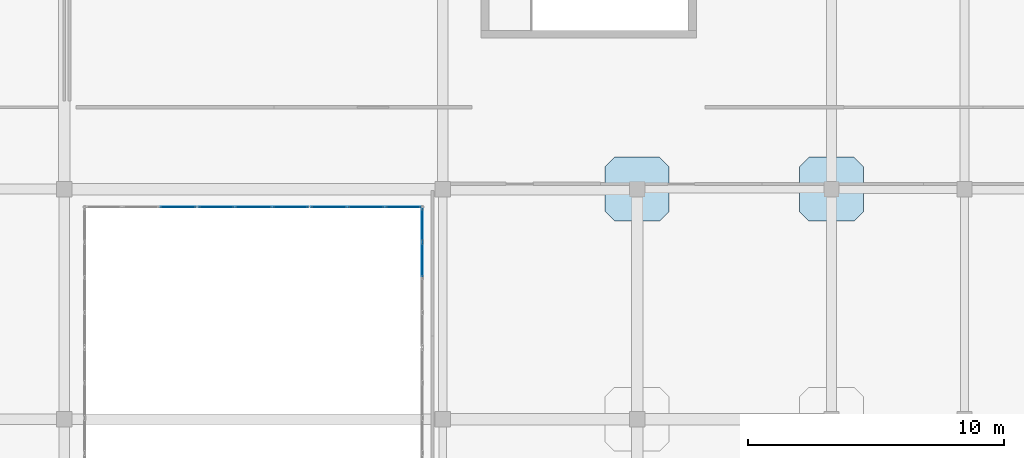
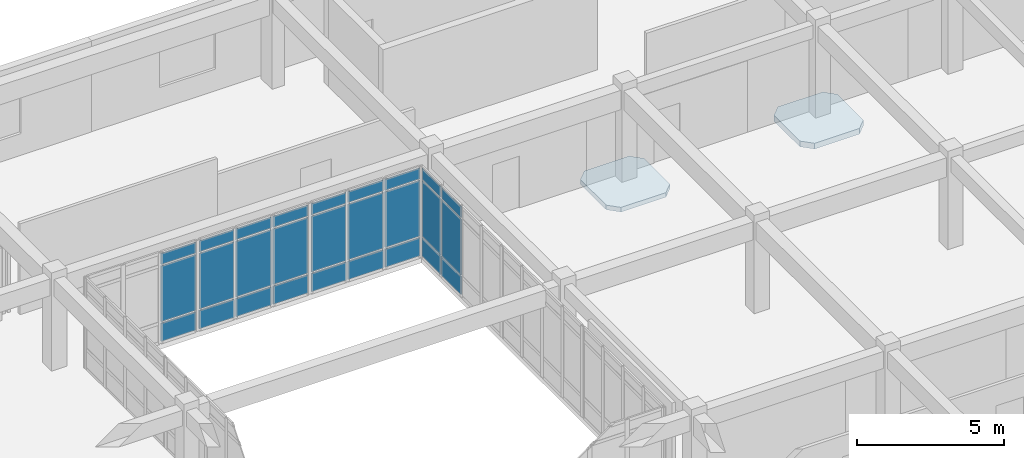
# One storey, part 69 of 91: 27 plates, 2 slabs, 4 elements without a shape of their own.
"""IFC4 building model written with IfcOpenShell, lengths in metres."""

from ifc_helpers import new_model, si_unit, direction, frame, origin, origin_2d, place, context, subcontext, project, spatial, polyline, rectangle, outline, extrude, material, layer, layer_set, type_object, element, aggregate, save


model = new_model("IFC4")

# Units and contexts
model_context = context("Model", 3, precision=1e-05, world=origin(), true_north=direction((0.0, 1.0)))
body_context = subcontext(model_context, "Body", "Model", "MODEL_VIEW")
ifc_project = project(units=[si_unit("LENGTHUNIT", "METRE"), si_unit("AREAUNIT", "SQUARE_METRE"), si_unit("VOLUMEUNIT", "CUBIC_METRE"), si_unit("PLANEANGLEUNIT", "RADIAN"), si_unit("MASSUNIT", "GRAM", prefix="KILO")], contexts=[model_context])

# Site, building, storey
site_placement = place(None, origin())
site = spatial("IfcSite", under=ifc_project, at=site_placement, CompositionType="ELEMENT")
building_placement = place(site_placement, origin())
building = spatial("IfcBuilding", under=site, at=building_placement, Name="Valcora Specialist Clinic", CompositionType="ELEMENT")
storey_placement = place(building_placement, frame((0.0, 0.0, 13.60009765625)))
storey = spatial("IfcBuildingStorey", under=building, at=storey_placement, Name="L03", CompositionType="ELEMENT", Elevation=13.60009765625)

# Curtain wall, plates
ifc_material_1 = material(Name="Anodized Bronze Aluminium 6063-T6", Category="aluminium")
ifc_layer_1 = layer(ifc_material_1, 0.175048828125)
ifc_layer_set_1 = layer_set([ifc_layer_1], Name="Anodized Bronze Aluminium 6063-T6")
curtain_wall_type = type_object("IfcCurtainWallType", Name="TY-CW-CRT15", PredefinedType="NOTDEFINED", material=ifc_layer_set_1)
curtain_wall_1_placement = place(storey_placement, origin())
curtain_wall_1 = element("IfcCurtainWall", 1, at=curtain_wall_1_placement, inside=storey, type_object=curtain_wall_type, Name="Curtain wall CW-L03-130", PredefinedType="NOTDEFINED")
ifc_material_2 = material(Name="Low-E Laminated Insulating Glass", Category="glass")
ifc_layer_2 = layer(ifc_material_2, 0.028076171875)
ifc_layer_set_2 = layer_set([ifc_layer_2], Name="Low-E Laminated Insulating Glass")
plate_type_1 = type_object("IfcPlateType", Name="TY-CWP-GLZ28", PredefinedType="CURTAIN_PANEL", material=ifc_layer_set_2)
plate_1_placement = place(storey_placement, frame((90.0, 96.4375, 0.88232421875), z_axis=(0.0, 0.0, 1.0), x_axis=(0.0, 1.0, 0.0)))
plate_1 = element("IfcPlate", 2, at=plate_1_placement, type_object=plate_type_1, Name="CW-CRT-15 panel 3.2", PredefinedType="CURTAIN_PANEL", context=body_context, shape_type="SweptSolid", body=[
    extrude(rectangle(XDim=1.31005859375, YDim=0.028076171875, at=origin_2d()), origin(), (0.0, 0.0, 1.0), 2.31005859375),
])
plate_2_placement = place(storey_placement, frame((90.0, 96.4375, 3.25732421875), z_axis=(0.0, 0.0, 1.0), x_axis=(0.0, 1.0, 0.0)))
plate_2 = element("IfcPlate", 3, at=plate_2_placement, type_object=plate_type_1, Name="CW-CRT-15 panel 3.3", PredefinedType="CURTAIN_PANEL", context=body_context, shape_type="SweptSolid", body=[
    extrude(rectangle(XDim=1.31005859375, YDim=0.028076171875, at=origin_2d()), origin(), (0.0, 0.0, 1.0), 0.452392578125),
])
plate_3_placement = place(storey_placement, frame((90.0, 97.796142578125, 0.88232421875), z_axis=(0.0, 0.0, 1.0), x_axis=(0.0, 1.0, 0.0)))
plate_3 = element("IfcPlate", 4, at=plate_3_placement, type_object=plate_type_1, Name="CW-CRT-15 panel 4.2", PredefinedType="CURTAIN_PANEL", context=body_context, shape_type="SweptSolid", body=[
    extrude(rectangle(XDim=1.277587890625, YDim=0.028076171875, at=origin_2d()), origin(), (0.0, 0.0, 1.0), 2.31005859375),
])
plate_4_placement = place(storey_placement, frame((90.0, 97.796142578125, 3.25732421875), z_axis=(0.0, 0.0, 1.0), x_axis=(0.0, 1.0, 0.0)))
plate_4 = element("IfcPlate", 5, at=plate_4_placement, type_object=plate_type_1, Name="CW-CRT-15 panel 4.3", PredefinedType="CURTAIN_PANEL", context=body_context, shape_type="SweptSolid", body=[
    extrude(rectangle(XDim=1.277587890625, YDim=0.028076171875, at=origin_2d()), origin(), (0.0, 0.0, 1.0), 0.452392578125),
])

curtain_wall_2_placement = place(storey_placement, origin())
curtain_wall_2 = element("IfcCurtainWall", 6, at=curtain_wall_2_placement, inside=storey, type_object=curtain_wall_type, Name="Curtain wall CW-L03-132", PredefinedType="NOTDEFINED")
plate_5_placement = place(storey_placement, frame((84.850341796875, 98.5, 0.88232421875), z_axis=(0.0, 0.0, 1.0), x_axis=(-1.0, 0.0, 0.0)))
plate_5 = element("IfcPlate", 7, at=plate_5_placement, type_object=plate_type_1, Name="CW-CRT-15 panel 1.2", PredefinedType="CURTAIN_PANEL", context=body_context, shape_type="SweptSolid", body=[
    extrude(rectangle(XDim=1.369140625, YDim=0.028076171875, at=origin_2d()), origin(), (0.0, 0.0, 1.0), 2.31005859375),
])
plate_6_placement = place(storey_placement, frame((84.850341796875, 98.5, 3.25732421875), z_axis=(0.0, 0.0, 1.0), x_axis=(-1.0, 0.0, 0.0)))
plate_6 = element("IfcPlate", 8, at=plate_6_placement, type_object=plate_type_1, Name="CW-CRT-15 panel 1.3", PredefinedType="CURTAIN_PANEL", context=body_context, shape_type="SweptSolid", body=[
    extrude(rectangle(XDim=1.369140625, YDim=0.028076171875, at=origin_2d()), origin(), (0.0, 0.0, 1.0), 0.452392578125),
])
plate_7_placement = place(storey_placement, frame((83.39990234375, 98.5, 0.88232421875), z_axis=(0.0, 0.0, 1.0), x_axis=(-1.0, 0.0, 0.0)))
plate_7 = element("IfcPlate", 9, at=plate_7_placement, type_object=plate_type_1, Name="CW-CRT-15 panel 2.2", PredefinedType="CURTAIN_PANEL", context=body_context, shape_type="SweptSolid", body=[
    extrude(rectangle(XDim=1.401611328125, YDim=0.028076171875, at=origin_2d()), origin(), (0.0, 0.0, 1.0), 2.31005859375),
])
plate_8_placement = place(storey_placement, frame((83.39990234375, 98.5, 3.25732421875), z_axis=(0.0, 0.0, 1.0), x_axis=(-1.0, 0.0, 0.0)))
plate_8 = element("IfcPlate", 10, at=plate_8_placement, type_object=plate_type_1, Name="CW-CRT-15 panel 2.3", PredefinedType="CURTAIN_PANEL", context=body_context, shape_type="SweptSolid", body=[
    extrude(rectangle(XDim=1.401611328125, YDim=0.028076171875, at=origin_2d()), origin(), (0.0, 0.0, 1.0), 0.452392578125),
])
plate_9_placement = place(storey_placement, frame((81.949462890625, 98.5, 0.88232421875), z_axis=(0.0, 0.0, 1.0), x_axis=(-1.0, 0.0, 0.0)))
plate_9 = element("IfcPlate", 11, at=plate_9_placement, type_object=plate_type_1, Name="CW-CRT-15 panel 3.2", PredefinedType="CURTAIN_PANEL", context=body_context, shape_type="SweptSolid", body=[
    extrude(rectangle(XDim=1.369140625, YDim=0.028076171875, at=origin_2d()), origin(), (0.0, 0.0, 1.0), 2.31005859375),
])
plate_10_placement = place(storey_placement, frame((81.949462890625, 98.5, 3.25732421875), z_axis=(0.0, 0.0, 1.0), x_axis=(-1.0, 0.0, 0.0)))
plate_10 = element("IfcPlate", 12, at=plate_10_placement, type_object=plate_type_1, Name="CW-CRT-15 panel 3.3", PredefinedType="CURTAIN_PANEL", context=body_context, shape_type="SweptSolid", body=[
    extrude(rectangle(XDim=1.369140625, YDim=0.028076171875, at=origin_2d()), origin(), (0.0, 0.0, 1.0), 0.452392578125),
])

curtain_wall_3_placement = place(storey_placement, origin())
curtain_wall_3 = element("IfcCurtainWall", 13, at=curtain_wall_3_placement, inside=storey, type_object=curtain_wall_type, Name="Curtain wall CW-L03-131", PredefinedType="NOTDEFINED")
ifc_layer_3 = layer(ifc_material_2, 0.033935546875)
ifc_layer_set_3 = layer_set([ifc_layer_3], Name="Low-E Laminated Insulating Glass")
plate_type_2 = type_object("IfcPlateType", Name="TY-CWP-GLZ34", PredefinedType="CURTAIN_PANEL", material=ifc_layer_set_3)
plate_11_placement = place(storey_placement, frame((89.25048828125, 98.5, 0.88232421875), z_axis=(0.0, 0.0, 1.0), x_axis=(-1.0, 0.0, 0.0)))
plate_11 = element("IfcPlate", 14, at=plate_11_placement, type_object=plate_type_2, Name="CW-CRT-15 panel 1.2", PredefinedType="CURTAIN_PANEL", context=body_context, shape_type="SweptSolid", body=[
    extrude(rectangle(XDim=1.369140625, YDim=0.033935546875, at=origin_2d()), origin(), (0.0, 0.0, 1.0), 2.31005859375),
])
plate_12_placement = place(storey_placement, frame((89.25048828125, 98.5, 3.25732421875), z_axis=(0.0, 0.0, 1.0), x_axis=(-1.0, 0.0, 0.0)))
plate_12 = element("IfcPlate", 15, at=plate_12_placement, type_object=plate_type_2, Name="CW-CRT-15 panel 1.3", PredefinedType="CURTAIN_PANEL", context=body_context, shape_type="SweptSolid", body=[
    extrude(rectangle(XDim=1.369140625, YDim=0.033935546875, at=origin_2d()), origin(), (0.0, 0.0, 1.0), 0.452392578125),
])
plate_13_placement = place(storey_placement, frame((87.800048828125, 98.5, 0.88232421875), z_axis=(0.0, 0.0, 1.0), x_axis=(-1.0, 0.0, 0.0)))
plate_13 = element("IfcPlate", 16, at=plate_13_placement, type_object=plate_type_2, Name="CW-CRT-15 panel 2.2", PredefinedType="CURTAIN_PANEL", context=body_context, shape_type="SweptSolid", body=[
    extrude(rectangle(XDim=1.401611328125, YDim=0.033935546875, at=origin_2d()), origin(), (0.0, 0.0, 1.0), 2.31005859375),
])
plate_14_placement = place(storey_placement, frame((87.800048828125, 98.5, 3.25732421875), z_axis=(0.0, 0.0, 1.0), x_axis=(-1.0, 0.0, 0.0)))
plate_14 = element("IfcPlate", 17, at=plate_14_placement, type_object=plate_type_2, Name="CW-CRT-15 panel 2.3", PredefinedType="CURTAIN_PANEL", context=body_context, shape_type="SweptSolid", body=[
    extrude(rectangle(XDim=1.401611328125, YDim=0.033935546875, at=origin_2d()), origin(), (0.0, 0.0, 1.0), 0.452392578125),
])
plate_15_placement = place(storey_placement, frame((86.349609375, 98.5, 0.88232421875), z_axis=(0.0, 0.0, 1.0), x_axis=(-1.0, 0.0, 0.0)))
plate_15 = element("IfcPlate", 18, at=plate_15_placement, type_object=plate_type_2, Name="CW-CRT-15 panel 3.2", PredefinedType="CURTAIN_PANEL", context=body_context, shape_type="SweptSolid", body=[
    extrude(rectangle(XDim=1.369140625, YDim=0.033935546875, at=origin_2d()), origin(), (0.0, 0.0, 1.0), 2.31005859375),
])
plate_16_placement = place(storey_placement, frame((86.349609375, 98.5, 3.25732421875), z_axis=(0.0, 0.0, 1.0), x_axis=(-1.0, 0.0, 0.0)))
plate_16 = element("IfcPlate", 19, at=plate_16_placement, type_object=plate_type_2, Name="CW-CRT-15 panel 3.3", PredefinedType="CURTAIN_PANEL", context=body_context, shape_type="SweptSolid", body=[
    extrude(rectangle(XDim=1.369140625, YDim=0.033935546875, at=origin_2d()), origin(), (0.0, 0.0, 1.0), 0.452392578125),
])

curtain_wall_4_placement = place(storey_placement, origin())
curtain_wall_4 = element("IfcCurtainWall", 20, at=curtain_wall_4_placement, inside=storey, type_object=curtain_wall_type, Name="Curtain wall CW-L03-133", PredefinedType="NOTDEFINED")
plate_17_placement = place(storey_placement, frame((80.450439453125, 98.5, 0.88232421875), z_axis=(0.0, 0.0, 1.0), x_axis=(-1.0, 0.0, 0.0)))
plate_17 = element("IfcPlate", 21, at=plate_17_placement, type_object=plate_type_2, Name="CW-CRT-15 panel 1.2", PredefinedType="CURTAIN_PANEL", context=body_context, shape_type="SweptSolid", body=[
    extrude(rectangle(XDim=1.369140625, YDim=0.033935546875, at=origin_2d()), origin(), (0.0, 0.0, 1.0), 2.31005859375),
])
plate_18_placement = place(storey_placement, frame((80.450439453125, 98.5, 3.25732421875), z_axis=(0.0, 0.0, 1.0), x_axis=(-1.0, 0.0, 0.0)))
plate_18 = element("IfcPlate", 22, at=plate_18_placement, type_object=plate_type_2, Name="CW-CRT-15 panel 1.3", PredefinedType="CURTAIN_PANEL", context=body_context, shape_type="SweptSolid", body=[
    extrude(rectangle(XDim=1.369140625, YDim=0.033935546875, at=origin_2d()), origin(), (0.0, 0.0, 1.0), 0.452392578125),
])

# Plate
ifc_material_3 = material(Name="Insulated Spandrel Panel")
ifc_layer_4 = layer(ifc_material_3, 0.044921875)
ifc_layer_set_4 = layer_set([ifc_layer_4], Name="Insulated Spandrel Panel")
plate_type_3 = type_object("IfcPlateType", Name="TY-CWP-SPN45", PredefinedType="SHEET", material=ifc_layer_set_4)
plate_19_placement = place(storey_placement, frame((90.0, 96.4375, 0.06494140625), z_axis=(0.0, 0.0, 1.0), x_axis=(0.0, 1.0, 0.0)))
plate_19 = element("IfcPlate", 23, at=plate_19_placement, type_object=plate_type_3, Name="CW-CRT-15 panel 3.1", PredefinedType="SHEET", context=body_context, shape_type="SweptSolid", body=[
    extrude(rectangle(XDim=1.31005859375, YDim=0.044921875, at=origin_2d()), origin(), (0.0, 0.0, 1.0), 0.75244140625),
])

plate_20_placement = place(storey_placement, frame((90.0, 97.796142578125, 0.06494140625), z_axis=(0.0, 0.0, 1.0), x_axis=(0.0, 1.0, 0.0)))
plate_20 = element("IfcPlate", 24, at=plate_20_placement, type_object=plate_type_3, Name="CW-CRT-15 panel 4.1", PredefinedType="SHEET", context=body_context, shape_type="SweptSolid", body=[
    extrude(rectangle(XDim=1.277587890625, YDim=0.044921875, at=origin_2d()), origin(), (0.0, 0.0, 1.0), 0.75244140625),
])

aggregate(curtain_wall_1, [plate_19, plate_1, plate_2, plate_20, plate_3, plate_4])

plate_21_placement = place(storey_placement, frame((89.25048828125, 98.5, 0.06494140625), z_axis=(0.0, 0.0, 1.0), x_axis=(-1.0, 0.0, 0.0)))
plate_21 = element("IfcPlate", 25, at=plate_21_placement, type_object=plate_type_3, Name="CW-CRT-15 panel 1.1", PredefinedType="SHEET", context=body_context, shape_type="SweptSolid", body=[
    extrude(rectangle(XDim=1.369140625, YDim=0.044921875, at=origin_2d()), origin(), (0.0, 0.0, 1.0), 0.75244140625),
])

plate_22_placement = place(storey_placement, frame((87.800048828125, 98.5, 0.06494140625), z_axis=(0.0, 0.0, 1.0), x_axis=(-1.0, 0.0, 0.0)))
plate_22 = element("IfcPlate", 26, at=plate_22_placement, type_object=plate_type_3, Name="CW-CRT-15 panel 2.1", PredefinedType="SHEET", context=body_context, shape_type="SweptSolid", body=[
    extrude(rectangle(XDim=1.401611328125, YDim=0.044921875, at=origin_2d()), origin(), (0.0, 0.0, 1.0), 0.75244140625),
])

plate_23_placement = place(storey_placement, frame((86.349609375, 98.5, 0.06494140625), z_axis=(0.0, 0.0, 1.0), x_axis=(-1.0, 0.0, 0.0)))
plate_23 = element("IfcPlate", 27, at=plate_23_placement, type_object=plate_type_3, Name="CW-CRT-15 panel 3.1", PredefinedType="SHEET", context=body_context, shape_type="SweptSolid", body=[
    extrude(rectangle(XDim=1.369140625, YDim=0.044921875, at=origin_2d()), origin(), (0.0, 0.0, 1.0), 0.75244140625),
])

aggregate(curtain_wall_3, [plate_21, plate_11, plate_12, plate_22, plate_13, plate_14, plate_23, plate_15, plate_16])

plate_24_placement = place(storey_placement, frame((84.850341796875, 98.5, 0.06494140625), z_axis=(0.0, 0.0, 1.0), x_axis=(-1.0, 0.0, 0.0)))
plate_24 = element("IfcPlate", 28, at=plate_24_placement, type_object=plate_type_3, Name="CW-CRT-15 panel 1.1", PredefinedType="SHEET", context=body_context, shape_type="SweptSolid", body=[
    extrude(rectangle(XDim=1.369140625, YDim=0.044921875, at=origin_2d()), origin(), (0.0, 0.0, 1.0), 0.75244140625),
])

plate_25_placement = place(storey_placement, frame((83.39990234375, 98.5, 0.06494140625), z_axis=(0.0, 0.0, 1.0), x_axis=(-1.0, 0.0, 0.0)))
plate_25 = element("IfcPlate", 29, at=plate_25_placement, type_object=plate_type_3, Name="CW-CRT-15 panel 2.1", PredefinedType="SHEET", context=body_context, shape_type="SweptSolid", body=[
    extrude(rectangle(XDim=1.401611328125, YDim=0.044921875, at=origin_2d()), origin(), (0.0, 0.0, 1.0), 0.75244140625),
])

plate_26_placement = place(storey_placement, frame((81.949462890625, 98.5, 0.06494140625), z_axis=(0.0, 0.0, 1.0), x_axis=(-1.0, 0.0, 0.0)))
plate_26 = element("IfcPlate", 30, at=plate_26_placement, type_object=plate_type_3, Name="CW-CRT-15 panel 3.1", PredefinedType="SHEET", context=body_context, shape_type="SweptSolid", body=[
    extrude(rectangle(XDim=1.369140625, YDim=0.044921875, at=origin_2d()), origin(), (0.0, 0.0, 1.0), 0.75244140625),
])

aggregate(curtain_wall_2, [plate_24, plate_5, plate_6, plate_25, plate_7, plate_8, plate_26, plate_9, plate_10])

plate_27_placement = place(storey_placement, frame((80.450439453125, 98.5, 0.06494140625), z_axis=(0.0, 0.0, 1.0), x_axis=(-1.0, 0.0, 0.0)))
plate_27 = element("IfcPlate", 31, at=plate_27_placement, type_object=plate_type_3, Name="CW-CRT-15 panel 1.1", PredefinedType="SHEET", context=body_context, shape_type="SweptSolid", body=[
    extrude(rectangle(XDim=1.369140625, YDim=0.044921875, at=origin_2d()), origin(), (0.0, 0.0, 1.0), 0.75244140625),
])

aggregate(curtain_wall_4, [plate_27, plate_17, plate_18])

# Slabs
ifc_material_4 = material(Name="Concrete C40/50", Category="concrete")
ifc_layer_5 = layer(ifc_material_4, 0.18994140625)
ifc_layer_set_5 = layer_set([ifc_layer_5], Name="Concrete C40/50")
slab_type_1 = type_object("IfcSlabType", Name="TY-SL-DP190", PredefinedType="FLOOR", material=ifc_layer_set_5)
slab_1_placement = place(storey_placement, frame((0.0, 0.0, -0.4501953125)))
element("IfcSlab", 32, at=slab_1_placement, inside=storey, type_object=slab_type_1, Name="V4 column drop panel SL-L03-066", PredefinedType="FLOOR", context=body_context, shape_type="SweptSolid", body=[
    extrude(outline(polyline([(97.52001953125, 97.949951171875), (99.280029296875, 97.949951171875), (99.64990234375, 98.320068359375), (99.64990234375, 100.080078125), (99.280029296875, 100.449951171875), (97.52001953125, 100.449951171875), (97.14990234375, 100.080078125), (97.14990234375, 98.320068359375), (97.52001953125, 97.949951171875)])), origin(), (0.0, 0.0, 1.0), 0.190185546875),
])
ifc_layer_6 = layer(ifc_material_4, 0.235107421875)
ifc_layer_set_6 = layer_set([ifc_layer_6], Name="Concrete C40/50")
slab_type_2 = type_object("IfcSlabType", Name="TY-SL-DP235", PredefinedType="FLOOR", material=ifc_layer_set_6)
slab_2_placement = place(storey_placement, frame((0.0, 0.0, -0.4951171875)))
element("IfcSlab", 33, at=slab_2_placement, inside=storey, type_object=slab_type_2, Name="V4 column drop panel SL-L03-070", PredefinedType="FLOOR", context=body_context, shape_type="SweptSolid", body=[
    extrude(outline(polyline([(105.1201171875, 97.949951171875), (106.8798828125, 97.949951171875), (107.25, 98.320068359375), (107.25, 100.080078125), (106.8798828125, 100.449951171875), (105.1201171875, 100.449951171875), (104.75, 100.080078125), (104.75, 98.320068359375), (105.1201171875, 97.949951171875)])), origin(), (0.0, 0.0, 1.0), 0.235107421875),
])

save(model, "model.ifc")
